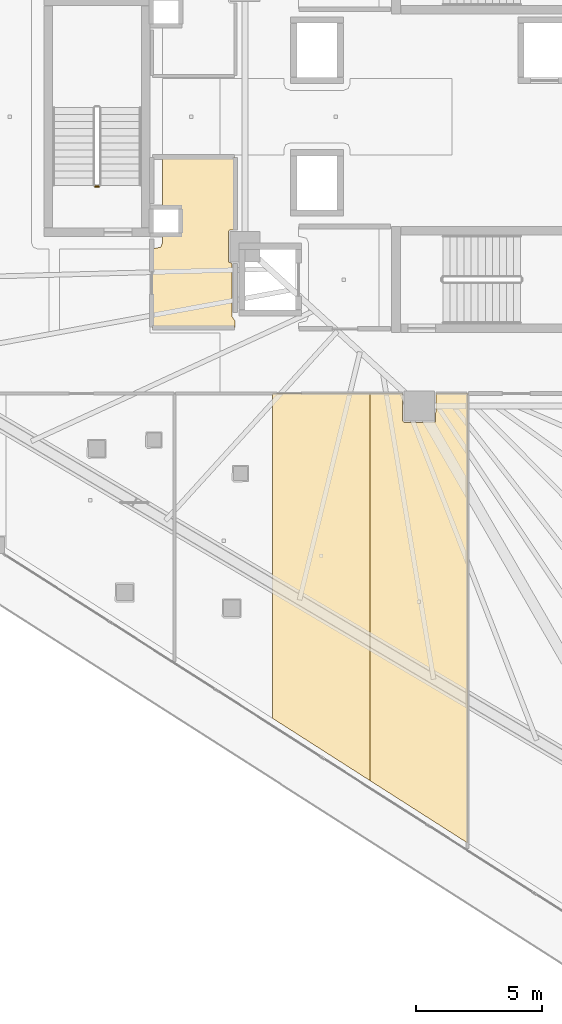
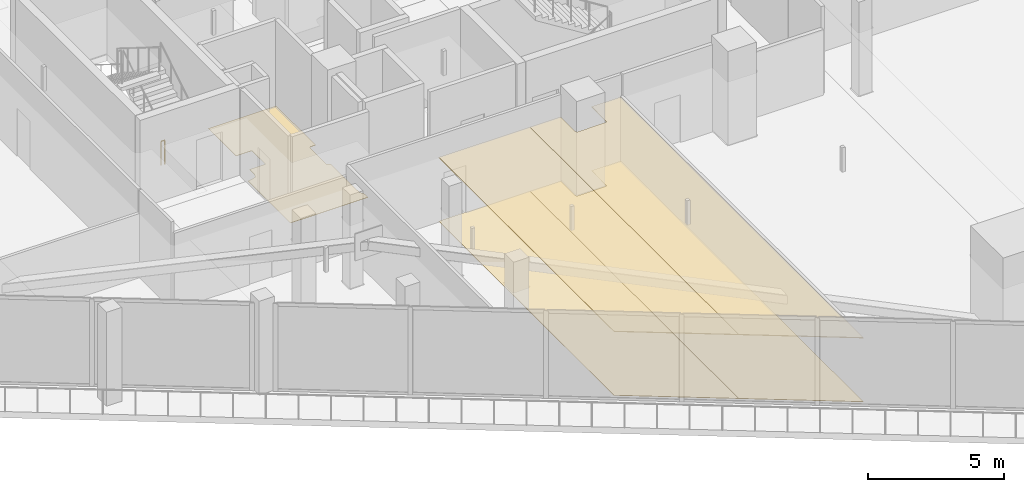
# One storey, part 38 of 45: 5 coverings, 1 railing.
"""IFC4 building model written with IfcOpenShell, lengths in metres."""

from ifc_helpers import new_model, si_unit, direction, frame, origin, origin_2d, place, context, subcontext, project, spatial, polyline, circle, outline, extrude, material, layer, layer_set, type_object, element, save


model = new_model("IFC4")

# Units and contexts
model_context = context("Model", 3, precision=1e-05, world=origin(), true_north=direction((0.0, 1.0)))
body_context = subcontext(model_context, "Body", "Model", "MODEL_VIEW")
ifc_project = project(units=[si_unit("LENGTHUNIT", "METRE"), si_unit("AREAUNIT", "SQUARE_METRE"), si_unit("VOLUMEUNIT", "CUBIC_METRE"), si_unit("PLANEANGLEUNIT", "RADIAN"), si_unit("MASSUNIT", "GRAM", prefix="KILO")], contexts=[model_context])

# Site, building, storey
site_placement = place(None, origin())
site = spatial("IfcSite", under=ifc_project, at=site_placement, CompositionType="ELEMENT")
building_placement = place(site_placement, origin())
building = spatial("IfcBuilding", under=site, at=building_placement, Name="Qorvath Tower", CompositionType="ELEMENT")
storey_placement = place(building_placement, frame((0.0, 0.0, 49.199951171875)))
storey = spatial("IfcBuildingStorey", under=building, at=storey_placement, Name="L10", CompositionType="ELEMENT", Elevation=49.199951171875)

# Coverings
ifc_material_1 = material(Name="Acoustic mineral fibre ceiling tile", Category="gypsum")
ifc_layer_1 = layer(ifc_material_1, 0.030029296875)
ifc_layer_set_1 = layer_set([ifc_layer_1], Name="COV-CEIL")
covering_type_1 = type_object("IfcCoveringType", Name="COV-CEIL", PredefinedType="CEILING", material=ifc_layer_set_1)
covering_1_placement = place(storey_placement, frame((0.0, 0.0, 2.85009765625)))
element("IfcCovering", 1, at=covering_1_placement, inside=storey, type_object=covering_type_1, Name="L10 Suspended Acoustic Ceiling 015", PredefinedType="CEILING", context=body_context, shape_type="SweptSolid", body=[
    extrude(outline(polyline([(-25.556640625, -26.271240234375), (-25.556640625, -10.962890625), (-29.4130859375, -10.962890625), (-29.4130859375, -23.806396484375), (-25.556640625, -26.271240234375)])), origin(), (0.0, 0.0, 1.0), 0.030029296875),
])
covering_2_placement = place(storey_placement, frame((0.0, 0.0, 2.85009765625)))
element("IfcCovering", 2, at=covering_2_placement, inside=storey, type_object=covering_type_1, Name="L10 Suspended Acoustic Ceiling 016", PredefinedType="CEILING", context=body_context, shape_type="SweptSolid", body=[
    extrude(outline(polyline([(-21.7001953125, -28.736083984375), (-21.7001953125, -10.962890625), (-22.93994140625, -10.962890625), (-22.95751953125, -12.092529296875), (-24.199951171875, -12.110107421875), (-24.260009765625, -12.050048828125), (-24.260009765625, -10.962890625), (-25.556640625, -10.962890625), (-25.556640625, -26.271240234375), (-21.7001953125, -28.736083984375)])), origin(), (0.0, 0.0, 1.0), 0.030029296875),
])
ifc_material_2 = material(Name="Low-VOC modular carpet tile", Category="textile")
ifc_layer_2 = layer(ifc_material_2, 0.014892578125)
ifc_layer_set_2 = layer_set([ifc_layer_2], Name="COV-FLOOR-CPT")
covering_type_2 = type_object("IfcCoveringType", Name="COV-FLOOR-CPT", PredefinedType="FLOORING", material=ifc_layer_set_2)
covering_3_placement = place(storey_placement, origin())
element("IfcCovering", 3, at=covering_3_placement, inside=storey, type_object=covering_type_2, Name="L10 Floor Finish 004", PredefinedType="FLOORING", context=body_context, shape_type="SweptSolid", body=[
    extrude(outline(polyline([(-30.885009765625, -1.60498046875), (-33.760009765625, -1.60498046875), (-33.760009765625, -3.636962890625), (-33.08837890625, -3.638427734375), (-33.0869140625, -4.6279296875), (-33.760009765625, -4.633056640625), (-33.760009765625, -4.989990234375), (-33.833251953125, -5.166748046875), (-34.175048828125, -5.239990234375), (-34.175048828125, -8.344970703125), (-30.885009765625, -8.344970703125), (-30.885009765625, -8.108154296875), (-31.010009765625, -7.909912109375), (-31.010009765625, -5.81005859375), (-31.159912109375, -5.75), (-31.159912109375, -4.550048828125), (-31.10009765625, -4.489990234375), (-30.885009765625, -4.489990234375), (-30.885009765625, -1.60498046875)])), origin(), (0.0, 0.0, 1.0), 0.01513671875),
])
covering_4_placement = place(storey_placement, origin())
element("IfcCovering", 4, at=covering_4_placement, inside=storey, type_object=covering_type_2, Name="L10 Floor Finish 015", PredefinedType="FLOORING", context=body_context, shape_type="SweptSolid", body=[
    extrude(outline(polyline([(-25.556640625, -26.271240234375), (-25.556640625, -10.962890625), (-29.4130859375, -10.962890625), (-29.4130859375, -23.806396484375), (-25.556640625, -26.271240234375)])), origin(), (0.0, 0.0, 1.0), 0.01513671875),
])
covering_5_placement = place(storey_placement, origin())
element("IfcCovering", 5, at=covering_5_placement, inside=storey, type_object=covering_type_2, Name="L10 Floor Finish 016", PredefinedType="FLOORING", context=body_context, shape_type="SweptSolid", body=[
    extrude(outline(polyline([(-21.7001953125, -28.736083984375), (-21.7001953125, -10.962890625), (-22.93994140625, -10.962890625), (-22.95751953125, -12.092529296875), (-24.199951171875, -12.110107421875), (-24.260009765625, -12.050048828125), (-24.260009765625, -10.962890625), (-25.556640625, -10.962890625), (-25.556640625, -26.271240234375), (-21.7001953125, -28.736083984375)])), origin(), (0.0, 0.0, 1.0), 0.01513671875),
])

# Railing
ifc_material_3 = material(Name="Painted galvanised steel", Category="steel")
railing_type = type_object("IfcRailingType", Name="RL-STR-GRD", PredefinedType="GUARDRAIL", material=ifc_material_3)
railing_placement = place(storey_placement, frame((-36.280029296875, -2.77001953125, 0.0)))
element("IfcRailing", 6, at=railing_placement, inside=storey, type_object=railing_type, Name="L10 TS3 stair guard 4", PredefinedType="GUARDRAIL", context=body_context, shape_type="SweptSolid", body=[
    extrude(circle(Radius=0.02392578125, at=origin_2d()), frame((0.0, 0.0, 1.076171875), z_axis=(-1.0, 0.0, 0.0), x_axis=(0.0, -1.0, 0.0)), (0.0, 0.0, 1.0), 0.14990234375),
    extrude(circle(Radius=0.02099609375, at=origin_2d()), origin(), (0.0, 0.0, 1.0), 1.052001953125),
    extrude(circle(Radius=0.02099609375, at=origin_2d()), frame((-0.14990234375, 0.0, 0.0)), (0.0, 0.0, 1.0), 1.052001953125),
])

save(model, "model.ifc")
